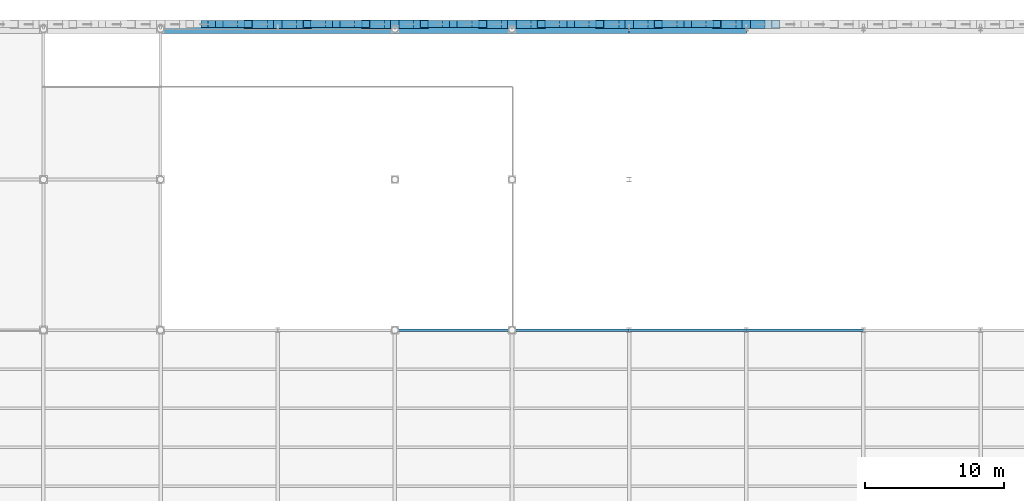
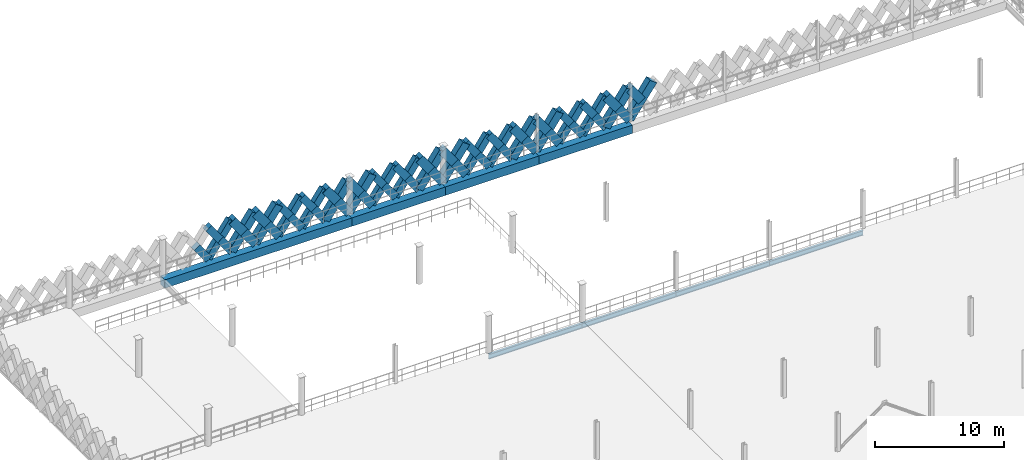
# One storey, part 24 of 47: 57 members, 8 beams.
"""IFC4 building model written with IfcOpenShell, lengths in metres."""

from ifc_helpers import new_model, si_unit, direction, frame, origin, origin_2d, place, context, subcontext, project, spatial, rectangle, i_section, extrude, material, material_profile, profile_set, type_object, element, save


model = new_model("IFC4")

# Units and contexts
model_context = context("Model", 3, precision=1e-05, world=origin(), true_north=direction((0.0, 1.0)))
body_context = subcontext(model_context, "Body", "Model", "MODEL_VIEW")
ifc_project = project(units=[si_unit("LENGTHUNIT", "METRE"), si_unit("AREAUNIT", "SQUARE_METRE"), si_unit("VOLUMEUNIT", "CUBIC_METRE"), si_unit("PLANEANGLEUNIT", "RADIAN"), si_unit("MASSUNIT", "GRAM", prefix="KILO"), si_unit("THERMODYNAMICTEMPERATUREUNIT", "KELVIN"), si_unit("POWERUNIT", "WATT")], contexts=[model_context])

# Site, building, storey
site_placement = place(None, origin())
site = spatial("IfcSite", under=ifc_project, at=site_placement, CompositionType="ELEMENT")
building_placement = place(site_placement, origin())
building = spatial("IfcBuilding", under=site, at=building_placement, Name="Tembeka Court Mobility Hub", CompositionType="ELEMENT")
storey_placement = place(building_placement, frame((0.0, 0.0, 19.800048828125)))
storey = spatial("IfcBuildingStorey", under=building, at=storey_placement, Name="L05", CompositionType="ELEMENT", Elevation=19.800048828125)

# Beams
ifc_material_1 = material(Name="Steel S355", Category="steel")
ifc_material_profile_1 = material_profile(ifc_material_1, i_section(OverallWidth=0.18994140625, OverallDepth=0.45703125, WebThickness=0.009033203125, FlangeThickness=0.014404296875, FilletRadius=0.01025390625, at=origin_2d()), Name="UKB 457x191x74")
ifc_profile_set_1 = profile_set([ifc_material_profile_1], Name="Steel S355")
beam_type_1 = type_object("IfcBeamType", Name="BM-B01", PredefinedType="BEAM", material=ifc_profile_set_1)
for number, where, z_axis, x_axis, name in (
    (1, (33.60009765625, 97.199951171875, -0.448486328125), (1.0, 0.0, 0.0), (0.0, 1.0, 0.0), "Beam B01 (BM-L05-X2757)"),
    (2, (42.0, 97.199951171875, -0.448486328125), (1.0, 0.0, 0.0), (0.0, 1.0, 0.0), "Beam B01 (BM-L05-X2758)"),
):
    element("IfcBeam", number, at=place(storey_placement, frame(where, z_axis=z_axis, x_axis=x_axis)), inside=storey, type_object=beam_type_1, Name=name, PredefinedType="BEAM", context=body_context, shape_type="SweptSolid", body=[
        extrude(i_section(OverallWidth=0.18994140625, OverallDepth=0.45703125, WebThickness=0.009033203125, FlangeThickness=0.014404296875, FilletRadius=0.01025390625, at=origin_2d()), origin(), (0.0, 0.0, 1.0), 8.39990234375),
    ])
beam_1_placement = place(storey_placement, frame((50.39990234375, 97.199951171875, -0.448486328125), z_axis=(1.0, 0.0, 0.0), x_axis=(0.0, 1.0, 0.0)))
element("IfcBeam", 3, at=beam_1_placement, inside=storey, type_object=beam_type_1, Name="Beam B01 (BM-L05-X2759)", PredefinedType="BEAM", context=body_context, shape_type="SweptSolid", body=[
    extrude(i_section(OverallWidth=0.18994140625, OverallDepth=0.45703125, WebThickness=0.009033203125, FlangeThickness=0.014404296875, FilletRadius=0.01025390625, at=origin_2d()), origin(), (0.0, 0.0, 1.0), 8.400146484375),
])
beam_2_placement = place(storey_placement, frame((58.800048828125, 97.199951171875, -0.448486328125), z_axis=(1.0, 0.0, 0.0), x_axis=(0.0, 1.0, 0.0)))
element("IfcBeam", 4, at=beam_2_placement, inside=storey, type_object=beam_type_1, Name="Beam B01 (BM-L05-X2760)", PredefinedType="BEAM", context=body_context, shape_type="SweptSolid", body=[
    extrude(i_section(OverallWidth=0.18994140625, OverallDepth=0.45703125, WebThickness=0.009033203125, FlangeThickness=0.014404296875, FilletRadius=0.01025390625, at=origin_2d()), origin(), (0.0, 0.0, 1.0), 8.39990234375),
])
ifc_material_2 = material(Name="Precast concrete C45/55", Category="concrete")
ifc_material_profile_2 = material_profile(ifc_material_2, rectangle(XDim=0.64990234375, YDim=0.800048828125, at=origin_2d()), Name="PC-SP 650x800")
ifc_profile_set_2 = profile_set([ifc_material_profile_2], Name="Precast concrete C45/55")
beam_type_2 = type_object("IfcBeamType", Name="BM-SP01", PredefinedType="SPANDREL", material=ifc_profile_set_2)
beam_3_placement = place(storey_placement, frame((16.800048828125, 118.800048828125, -0.6201171875), z_axis=(1.0, 0.0, 0.0), x_axis=(0.0, 1.0, 0.0)))
element("IfcBeam", 5, at=beam_3_placement, inside=storey, type_object=beam_type_2, Name="Beam SP01 (BM-L05-X2768)", PredefinedType="SPANDREL", context=body_context, shape_type="SweptSolid", body=[
    extrude(rectangle(XDim=0.64990234375, YDim=0.800048828125, at=origin_2d()), origin(), (0.0, 0.0, 1.0), 16.800048828125),
])
for number, where, z_axis, x_axis, name in (
    (6, (33.60009765625, 118.800048828125, -0.6201171875), (1.0, 0.0, 0.0), (0.0, 1.0, 0.0), "Beam SP01 (BM-L05-X2769)"),
    (7, (42.0, 118.800048828125, -0.6201171875), (1.0, 0.0, 0.0), (0.0, 1.0, 0.0), "Beam SP01 (BM-L05-X2770)"),
):
    element("IfcBeam", number, at=place(storey_placement, frame(where, z_axis=z_axis, x_axis=x_axis)), inside=storey, type_object=beam_type_2, Name=name, PredefinedType="SPANDREL", context=body_context, shape_type="SweptSolid", body=[
        extrude(rectangle(XDim=0.64990234375, YDim=0.800048828125, at=origin_2d()), origin(), (0.0, 0.0, 1.0), 8.39990234375),
    ])
beam_4_placement = place(storey_placement, frame((50.39990234375, 118.800048828125, -0.6201171875), z_axis=(1.0, 0.0, 0.0), x_axis=(0.0, 1.0, 0.0)))
element("IfcBeam", 8, at=beam_4_placement, inside=storey, type_object=beam_type_2, Name="Beam SP01 (BM-L05-X2771)", PredefinedType="SPANDREL", context=body_context, shape_type="SweptSolid", body=[
    extrude(rectangle(XDim=0.64990234375, YDim=0.800048828125, at=origin_2d()), origin(), (0.0, 0.0, 1.0), 8.400146484375),
])

# Members
ifc_material_profile_3 = material_profile(ifc_material_2, rectangle(XDim=0.5, YDim=0.64990234375, at=origin_2d()), Name="PC-DIAG 500x650")
ifc_profile_set_3 = profile_set([ifc_material_profile_3], Name="Precast concrete C45/55")
member_type_1 = type_object("IfcMemberType", Name="MEM-DL01", PredefinedType="BRACE", material=ifc_profile_set_3)
member_1_placement = place(storey_placement, frame((21.0, 119.139892578125, 0.02001953125), z_axis=(-0.582608431711, 0.0, 0.812752985414), x_axis=(0.0, -1.0, 0.0)))
element("IfcMember", 9, at=member_1_placement, inside=storey, type_object=member_type_1, Name="Precast diamond lattice split lower strand DL01 (L05-842B1)", PredefinedType="BRACE", context=body_context, shape_type="SweptSolid", body=[
    extrude(rectangle(XDim=0.5, YDim=0.64990234375, at=origin_2d()), origin(), (0.0, 0.0, 1.0), 1.80224609375),
])
member_2_placement = place(storey_placement, frame((21.0, 119.139892578125, 0.02001953125), z_axis=(0.582576362011, 0.0, 0.812775973086), x_axis=(0.0, 1.0, 0.0)))
element("IfcMember", 10, at=member_2_placement, inside=storey, type_object=member_type_1, Name="Precast diamond lattice continuous strand DL01 (L05-843A)", PredefinedType="BRACE", context=body_context, shape_type="SweptSolid", body=[
    extrude(rectangle(XDim=0.5, YDim=0.64990234375, at=origin_2d()), origin(), (0.0, 0.0, 1.0), 3.604736328125),
])
member_3_placement = place(storey_placement, frame((23.10009765625, 119.139892578125, 0.02001953125), z_axis=(-0.582608431711, 0.0, 0.812752985414), x_axis=(0.0, -1.0, 0.0)))
element("IfcMember", 11, at=member_3_placement, inside=storey, type_object=member_type_1, Name="Precast diamond lattice split lower strand DL01 (L05-843B1)", PredefinedType="BRACE", context=body_context, shape_type="SweptSolid", body=[
    extrude(rectangle(XDim=0.5, YDim=0.64990234375, at=origin_2d()), origin(), (0.0, 0.0, 1.0), 1.80224609375),
])
member_4_placement = place(storey_placement, frame((22.050048828125, 119.139892578125, 1.48486328125), z_axis=(-0.582544294934, 0.0, 0.812798956963), x_axis=(0.0, -1.0, 0.0)))
element("IfcMember", 12, at=member_4_placement, inside=storey, type_object=member_type_1, Name="Precast diamond lattice split upper strand DL01 (L05-843B2)", PredefinedType="BRACE", context=body_context, shape_type="SweptSolid", body=[
    extrude(rectangle(XDim=0.5, YDim=0.64990234375, at=origin_2d()), origin(), (0.0, 0.0, 1.0), 1.802490234375),
])
member_5_placement = place(storey_placement, frame((27.300048828125, 119.139892578125, 0.02001953125), z_axis=(0.58253161945, 0.0, 0.812808041509), x_axis=(0.0, 1.0, 0.0)))
element("IfcMember", 13, at=member_5_placement, inside=storey, type_object=member_type_1, Name="Precast diamond lattice continuous strand DL01 (L05-846A)", PredefinedType="BRACE", context=body_context, shape_type="SweptSolid", body=[
    extrude(rectangle(XDim=0.5, YDim=0.64990234375, at=origin_2d()), origin(), (0.0, 0.0, 1.0), 3.604736328125),
])
member_6_placement = place(storey_placement, frame((29.39990234375, 119.139892578125, 0.02001953125), z_axis=(-0.582518941428, 0.0, 0.812817127574), x_axis=(0.0, -1.0, 0.0)))
element("IfcMember", 14, at=member_6_placement, inside=storey, type_object=member_type_1, Name="Precast diamond lattice split lower strand DL01 (L05-846B1)", PredefinedType="BRACE", context=body_context, shape_type="SweptSolid", body=[
    extrude(rectangle(XDim=0.5, YDim=0.64990234375, at=origin_2d()), origin(), (0.0, 0.0, 1.0), 1.80224609375),
])
member_7_placement = place(storey_placement, frame((28.35009765625, 119.139892578125, 1.48486328125), z_axis=(-0.582544294934, 0.0, 0.812798956963), x_axis=(0.0, -1.0, 0.0)))
element("IfcMember", 15, at=member_7_placement, inside=storey, type_object=member_type_1, Name="Precast diamond lattice split upper strand DL01 (L05-846B2)", PredefinedType="BRACE", context=body_context, shape_type="SweptSolid", body=[
    extrude(rectangle(XDim=0.5, YDim=0.64990234375, at=origin_2d()), origin(), (0.0, 0.0, 1.0), 1.802490234375),
])
member_8_placement = place(storey_placement, frame((29.39990234375, 119.139892578125, 0.02001953125), z_axis=(0.582576362011, 0.0, 0.812775973086), x_axis=(0.0, 1.0, 0.0)))
element("IfcMember", 16, at=member_8_placement, inside=storey, type_object=member_type_1, Name="Precast diamond lattice continuous strand DL01 (L05-847A)", PredefinedType="BRACE", context=body_context, shape_type="SweptSolid", body=[
    extrude(rectangle(XDim=0.5, YDim=0.64990234375, at=origin_2d()), origin(), (0.0, 0.0, 1.0), 3.604736328125),
])
member_9_placement = place(storey_placement, frame((31.5, 119.139892578125, 0.02001953125), z_axis=(-0.582608431711, 0.0, 0.812752985414), x_axis=(0.0, -1.0, 0.0)))
element("IfcMember", 17, at=member_9_placement, inside=storey, type_object=member_type_1, Name="Precast diamond lattice split lower strand DL01 (L05-847B1)", PredefinedType="BRACE", context=body_context, shape_type="SweptSolid", body=[
    extrude(rectangle(XDim=0.5, YDim=0.64990234375, at=origin_2d()), origin(), (0.0, 0.0, 1.0), 1.80224609375),
])
member_10_placement = place(storey_placement, frame((30.449951171875, 119.139892578125, 1.48486328125), z_axis=(-0.582544294934, 0.0, 0.812798956963), x_axis=(0.0, -1.0, 0.0)))
element("IfcMember", 18, at=member_10_placement, inside=storey, type_object=member_type_1, Name="Precast diamond lattice split upper strand DL01 (L05-847B2)", PredefinedType="BRACE", context=body_context, shape_type="SweptSolid", body=[
    extrude(rectangle(XDim=0.5, YDim=0.64990234375, at=origin_2d()), origin(), (0.0, 0.0, 1.0), 1.802490234375),
])
member_11_placement = place(storey_placement, frame((35.699951171875, 119.139892578125, 0.02001953125), z_axis=(0.582576362011, 0.0, 0.812775973086), x_axis=(0.0, 1.0, 0.0)))
element("IfcMember", 19, at=member_11_placement, inside=storey, type_object=member_type_1, Name="Precast diamond lattice continuous strand DL01 (L05-850A)", PredefinedType="BRACE", context=body_context, shape_type="SweptSolid", body=[
    extrude(rectangle(XDim=0.5, YDim=0.64990234375, at=origin_2d()), origin(), (0.0, 0.0, 1.0), 3.604736328125),
])
member_12_placement = place(storey_placement, frame((37.800048828125, 119.139892578125, 0.02001953125), z_axis=(-0.582608431711, 0.0, 0.812752985414), x_axis=(0.0, -1.0, 0.0)))
element("IfcMember", 20, at=member_12_placement, inside=storey, type_object=member_type_1, Name="Precast diamond lattice split lower strand DL01 (L05-850B1)", PredefinedType="BRACE", context=body_context, shape_type="SweptSolid", body=[
    extrude(rectangle(XDim=0.5, YDim=0.64990234375, at=origin_2d()), origin(), (0.0, 0.0, 1.0), 1.80224609375),
])
member_13_placement = place(storey_placement, frame((36.75, 119.139892578125, 1.48486328125), z_axis=(-0.582544294934, 0.0, 0.812798956963), x_axis=(0.0, -1.0, 0.0)))
element("IfcMember", 21, at=member_13_placement, inside=storey, type_object=member_type_1, Name="Precast diamond lattice split upper strand DL01 (L05-850B2)", PredefinedType="BRACE", context=body_context, shape_type="SweptSolid", body=[
    extrude(rectangle(XDim=0.5, YDim=0.64990234375, at=origin_2d()), origin(), (0.0, 0.0, 1.0), 1.802490234375),
])
member_14_placement = place(storey_placement, frame((37.800048828125, 119.139892578125, 0.02001953125), z_axis=(0.58253161945, 0.0, 0.812808041509), x_axis=(0.0, 1.0, 0.0)))
element("IfcMember", 22, at=member_14_placement, inside=storey, type_object=member_type_1, Name="Precast diamond lattice continuous strand DL01 (L05-851A)", PredefinedType="BRACE", context=body_context, shape_type="SweptSolid", body=[
    extrude(rectangle(XDim=0.5, YDim=0.64990234375, at=origin_2d()), origin(), (0.0, 0.0, 1.0), 3.604736328125),
])
member_15_placement = place(storey_placement, frame((39.89990234375, 119.139892578125, 0.02001953125), z_axis=(-0.582518941428, 0.0, 0.812817127574), x_axis=(0.0, -1.0, 0.0)))
element("IfcMember", 23, at=member_15_placement, inside=storey, type_object=member_type_1, Name="Precast diamond lattice split lower strand DL01 (L05-851B1)", PredefinedType="BRACE", context=body_context, shape_type="SweptSolid", body=[
    extrude(rectangle(XDim=0.5, YDim=0.64990234375, at=origin_2d()), origin(), (0.0, 0.0, 1.0), 1.80224609375),
])
member_16_placement = place(storey_placement, frame((38.85009765625, 119.139892578125, 1.48486328125), z_axis=(-0.582544294934, 0.0, 0.812798956963), x_axis=(0.0, -1.0, 0.0)))
element("IfcMember", 24, at=member_16_placement, inside=storey, type_object=member_type_1, Name="Precast diamond lattice split upper strand DL01 (L05-851B2)", PredefinedType="BRACE", context=body_context, shape_type="SweptSolid", body=[
    extrude(rectangle(XDim=0.5, YDim=0.64990234375, at=origin_2d()), origin(), (0.0, 0.0, 1.0), 1.802490234375),
])
member_17_placement = place(storey_placement, frame((44.10009765625, 119.139892578125, 0.02001953125), z_axis=(0.58253161945, 0.0, 0.812808041509), x_axis=(0.0, 1.0, 0.0)))
element("IfcMember", 25, at=member_17_placement, inside=storey, type_object=member_type_1, Name="Precast diamond lattice continuous strand DL01 (L05-854A)", PredefinedType="BRACE", context=body_context, shape_type="SweptSolid", body=[
    extrude(rectangle(XDim=0.5, YDim=0.64990234375, at=origin_2d()), origin(), (0.0, 0.0, 1.0), 3.604736328125),
])
member_18_placement = place(storey_placement, frame((46.199951171875, 119.139892578125, 0.02001953125), z_axis=(-0.582608431711, 0.0, 0.812752985414), x_axis=(0.0, -1.0, 0.0)))
element("IfcMember", 26, at=member_18_placement, inside=storey, type_object=member_type_1, Name="Precast diamond lattice split lower strand DL01 (L05-854B1)", PredefinedType="BRACE", context=body_context, shape_type="SweptSolid", body=[
    extrude(rectangle(XDim=0.5, YDim=0.64990234375, at=origin_2d()), origin(), (0.0, 0.0, 1.0), 1.80224609375),
])
member_19_placement = place(storey_placement, frame((45.14990234375, 119.139892578125, 1.48486328125), z_axis=(-0.582454804382, 0.0, 0.812863088627), x_axis=(0.0, -1.0, 0.0)))
element("IfcMember", 27, at=member_19_placement, inside=storey, type_object=member_type_1, Name="Precast diamond lattice split upper strand DL01 (L05-854B2)", PredefinedType="BRACE", context=body_context, shape_type="SweptSolid", body=[
    extrude(rectangle(XDim=0.5, YDim=0.64990234375, at=origin_2d()), origin(), (0.0, 0.0, 1.0), 1.802490234375),
])
member_20_placement = place(storey_placement, frame((46.199951171875, 119.139892578125, 0.02001953125), z_axis=(0.582576362011, 0.0, 0.812775973086), x_axis=(0.0, 1.0, 0.0)))
element("IfcMember", 28, at=member_20_placement, inside=storey, type_object=member_type_1, Name="Precast diamond lattice continuous strand DL01 (L05-855A)", PredefinedType="BRACE", context=body_context, shape_type="SweptSolid", body=[
    extrude(rectangle(XDim=0.5, YDim=0.64990234375, at=origin_2d()), origin(), (0.0, 0.0, 1.0), 3.604736328125),
])
member_21_placement = place(storey_placement, frame((48.300048828125, 119.139892578125, 0.02001953125), z_axis=(-0.582608431711, 0.0, 0.812752985414), x_axis=(0.0, -1.0, 0.0)))
element("IfcMember", 29, at=member_21_placement, inside=storey, type_object=member_type_1, Name="Precast diamond lattice split lower strand DL01 (L05-855B1)", PredefinedType="BRACE", context=body_context, shape_type="SweptSolid", body=[
    extrude(rectangle(XDim=0.5, YDim=0.64990234375, at=origin_2d()), origin(), (0.0, 0.0, 1.0), 1.80224609375),
])
member_22_placement = place(storey_placement, frame((47.25, 119.139892578125, 1.48486328125), z_axis=(-0.582544294934, 0.0, 0.812798956963), x_axis=(0.0, -1.0, 0.0)))
element("IfcMember", 30, at=member_22_placement, inside=storey, type_object=member_type_1, Name="Precast diamond lattice split upper strand DL01 (L05-855B2)", PredefinedType="BRACE", context=body_context, shape_type="SweptSolid", body=[
    extrude(rectangle(XDim=0.5, YDim=0.64990234375, at=origin_2d()), origin(), (0.0, 0.0, 1.0), 1.802490234375),
])
member_23_placement = place(storey_placement, frame((52.5, 119.139892578125, 0.02001953125), z_axis=(0.582576362011, 0.0, 0.812775973086), x_axis=(0.0, 1.0, 0.0)))
element("IfcMember", 31, at=member_23_placement, inside=storey, type_object=member_type_1, Name="Precast diamond lattice continuous strand DL01 (L05-858A)", PredefinedType="BRACE", context=body_context, shape_type="SweptSolid", body=[
    extrude(rectangle(XDim=0.5, YDim=0.64990234375, at=origin_2d()), origin(), (0.0, 0.0, 1.0), 3.604736328125),
])
member_24_placement = place(storey_placement, frame((54.60009765625, 119.139892578125, 0.02001953125), z_axis=(-0.582608431711, 0.0, 0.812752985414), x_axis=(0.0, -1.0, 0.0)))
element("IfcMember", 32, at=member_24_placement, inside=storey, type_object=member_type_1, Name="Precast diamond lattice split lower strand DL01 (L05-858B1)", PredefinedType="BRACE", context=body_context, shape_type="SweptSolid", body=[
    extrude(rectangle(XDim=0.5, YDim=0.64990234375, at=origin_2d()), origin(), (0.0, 0.0, 1.0), 1.80224609375),
])
member_25_placement = place(storey_placement, frame((53.550048828125, 119.139892578125, 1.48486328125), z_axis=(-0.582544294934, 0.0, 0.812798956963), x_axis=(0.0, -1.0, 0.0)))
element("IfcMember", 33, at=member_25_placement, inside=storey, type_object=member_type_1, Name="Precast diamond lattice split upper strand DL01 (L05-858B2)", PredefinedType="BRACE", context=body_context, shape_type="SweptSolid", body=[
    extrude(rectangle(XDim=0.5, YDim=0.64990234375, at=origin_2d()), origin(), (0.0, 0.0, 1.0), 1.802490234375),
])
member_26_placement = place(storey_placement, frame((54.60009765625, 119.139892578125, 0.02001953125), z_axis=(0.58253161945, 0.0, 0.812808041509), x_axis=(0.0, 1.0, 0.0)))
element("IfcMember", 34, at=member_26_placement, inside=storey, type_object=member_type_1, Name="Precast diamond lattice continuous strand DL01 (L05-859A)", PredefinedType="BRACE", context=body_context, shape_type="SweptSolid", body=[
    extrude(rectangle(XDim=0.5, YDim=0.64990234375, at=origin_2d()), origin(), (0.0, 0.0, 1.0), 3.604736328125),
])
member_27_placement = place(storey_placement, frame((56.699951171875, 119.139892578125, 0.02001953125), z_axis=(-0.582608431711, 0.0, 0.812752985414), x_axis=(0.0, -1.0, 0.0)))
element("IfcMember", 35, at=member_27_placement, inside=storey, type_object=member_type_1, Name="Precast diamond lattice split lower strand DL01 (L05-859B1)", PredefinedType="BRACE", context=body_context, shape_type="SweptSolid", body=[
    extrude(rectangle(XDim=0.5, YDim=0.64990234375, at=origin_2d()), origin(), (0.0, 0.0, 1.0), 1.80224609375),
])
member_28_placement = place(storey_placement, frame((55.64990234375, 119.139892578125, 1.48486328125), z_axis=(-0.582454804382, 0.0, 0.812863088627), x_axis=(0.0, -1.0, 0.0)))
element("IfcMember", 36, at=member_28_placement, inside=storey, type_object=member_type_1, Name="Precast diamond lattice split upper strand DL01 (L05-859B2)", PredefinedType="BRACE", context=body_context, shape_type="SweptSolid", body=[
    extrude(rectangle(XDim=0.5, YDim=0.64990234375, at=origin_2d()), origin(), (0.0, 0.0, 1.0), 1.802490234375),
])
ifc_material_profile_4 = material_profile(ifc_material_2, rectangle(XDim=0.60009765625, YDim=0.75, at=origin_2d()), Name="PC-DIAG 600x750")
ifc_profile_set_4 = profile_set([ifc_material_profile_4], Name="Precast concrete C45/55")
member_type_2 = type_object("IfcMemberType", Name="MEM-DL02", PredefinedType="BRACE", material=ifc_profile_set_4)
member_29_placement = place(storey_placement, frame((23.10009765625, 119.139892578125, 0.02001953125), z_axis=(0.58253161945, 0.0, 0.812808041509), x_axis=(0.0, 1.0, 0.0)))
element("IfcMember", 37, at=member_29_placement, inside=storey, type_object=member_type_2, Name="Precast diamond lattice continuous strand DL02 (L05-844A)", PredefinedType="BRACE", context=body_context, shape_type="SweptSolid", body=[
    extrude(rectangle(XDim=0.60009765625, YDim=0.75, at=origin_2d()), origin(), (0.0, 0.0, 1.0), 3.604736328125),
])
member_30_placement = place(storey_placement, frame((25.199951171875, 119.139892578125, 0.02001953125), z_axis=(-0.582608431711, 0.0, 0.812752985414), x_axis=(0.0, -1.0, 0.0)))
element("IfcMember", 38, at=member_30_placement, inside=storey, type_object=member_type_2, Name="Precast diamond lattice split lower strand DL02 (L05-844B1)", PredefinedType="BRACE", context=body_context, shape_type="SweptSolid", body=[
    extrude(rectangle(XDim=0.60009765625, YDim=0.75, at=origin_2d()), origin(), (0.0, 0.0, 1.0), 1.80224609375),
])
member_31_placement = place(storey_placement, frame((24.14990234375, 119.139892578125, 1.48486328125), z_axis=(-0.582454804382, 0.0, 0.812863088627), x_axis=(0.0, -1.0, 0.0)))
element("IfcMember", 39, at=member_31_placement, inside=storey, type_object=member_type_2, Name="Precast diamond lattice split upper strand DL02 (L05-844B2)", PredefinedType="BRACE", context=body_context, shape_type="SweptSolid", body=[
    extrude(rectangle(XDim=0.60009765625, YDim=0.75, at=origin_2d()), origin(), (0.0, 0.0, 1.0), 1.802490234375),
])
member_32_placement = place(storey_placement, frame((25.199951171875, 119.139892578125, 0.02001953125), z_axis=(0.582576362011, 0.0, 0.812775973086), x_axis=(0.0, 1.0, 0.0)))
element("IfcMember", 40, at=member_32_placement, inside=storey, type_object=member_type_2, Name="Precast diamond lattice continuous strand DL02 (L05-845A)", PredefinedType="BRACE", context=body_context, shape_type="SweptSolid", body=[
    extrude(rectangle(XDim=0.60009765625, YDim=0.75, at=origin_2d()), origin(), (0.0, 0.0, 1.0), 3.604736328125),
])
member_33_placement = place(storey_placement, frame((27.300048828125, 119.139892578125, 0.02001953125), z_axis=(-0.582608431711, 0.0, 0.812752985414), x_axis=(0.0, -1.0, 0.0)))
element("IfcMember", 41, at=member_33_placement, inside=storey, type_object=member_type_2, Name="Precast diamond lattice split lower strand DL02 (L05-845B1)", PredefinedType="BRACE", context=body_context, shape_type="SweptSolid", body=[
    extrude(rectangle(XDim=0.60009765625, YDim=0.75, at=origin_2d()), origin(), (0.0, 0.0, 1.0), 1.80224609375),
])
member_34_placement = place(storey_placement, frame((26.25, 119.139892578125, 1.48486328125), z_axis=(-0.582544294934, 0.0, 0.812798956963), x_axis=(0.0, -1.0, 0.0)))
element("IfcMember", 42, at=member_34_placement, inside=storey, type_object=member_type_2, Name="Precast diamond lattice split upper strand DL02 (L05-845B2)", PredefinedType="BRACE", context=body_context, shape_type="SweptSolid", body=[
    extrude(rectangle(XDim=0.60009765625, YDim=0.75, at=origin_2d()), origin(), (0.0, 0.0, 1.0), 1.802490234375),
])
member_35_placement = place(storey_placement, frame((31.5, 119.139892578125, 0.02001953125), z_axis=(0.582576362011, 0.0, 0.812775973086), x_axis=(0.0, 1.0, 0.0)))
element("IfcMember", 43, at=member_35_placement, inside=storey, type_object=member_type_2, Name="Precast diamond lattice continuous strand DL02 (L05-848A)", PredefinedType="BRACE", context=body_context, shape_type="SweptSolid", body=[
    extrude(rectangle(XDim=0.60009765625, YDim=0.75, at=origin_2d()), origin(), (0.0, 0.0, 1.0), 3.604736328125),
])
member_36_placement = place(storey_placement, frame((33.60009765625, 119.139892578125, 0.02001953125), z_axis=(-0.582608431711, 0.0, 0.812752985414), x_axis=(0.0, -1.0, 0.0)))
element("IfcMember", 44, at=member_36_placement, inside=storey, type_object=member_type_2, Name="Precast diamond lattice split lower strand DL02 (L05-848B1)", PredefinedType="BRACE", context=body_context, shape_type="SweptSolid", body=[
    extrude(rectangle(XDim=0.60009765625, YDim=0.75, at=origin_2d()), origin(), (0.0, 0.0, 1.0), 1.80224609375),
])
member_37_placement = place(storey_placement, frame((32.550048828125, 119.139892578125, 1.48486328125), z_axis=(-0.582544294934, 0.0, 0.812798956963), x_axis=(0.0, -1.0, 0.0)))
element("IfcMember", 45, at=member_37_placement, inside=storey, type_object=member_type_2, Name="Precast diamond lattice split upper strand DL02 (L05-848B2)", PredefinedType="BRACE", context=body_context, shape_type="SweptSolid", body=[
    extrude(rectangle(XDim=0.60009765625, YDim=0.75, at=origin_2d()), origin(), (0.0, 0.0, 1.0), 1.802490234375),
])
member_38_placement = place(storey_placement, frame((33.60009765625, 119.139892578125, 0.02001953125), z_axis=(0.58253161945, 0.0, 0.812808041509), x_axis=(0.0, 1.0, 0.0)))
element("IfcMember", 46, at=member_38_placement, inside=storey, type_object=member_type_2, Name="Precast diamond lattice continuous strand DL02 (L05-849A)", PredefinedType="BRACE", context=body_context, shape_type="SweptSolid", body=[
    extrude(rectangle(XDim=0.60009765625, YDim=0.75, at=origin_2d()), origin(), (0.0, 0.0, 1.0), 3.604736328125),
])
member_39_placement = place(storey_placement, frame((35.699951171875, 119.139892578125, 0.02001953125), z_axis=(-0.582608431711, 0.0, 0.812752985414), x_axis=(0.0, -1.0, 0.0)))
element("IfcMember", 47, at=member_39_placement, inside=storey, type_object=member_type_2, Name="Precast diamond lattice split lower strand DL02 (L05-849B1)", PredefinedType="BRACE", context=body_context, shape_type="SweptSolid", body=[
    extrude(rectangle(XDim=0.60009765625, YDim=0.75, at=origin_2d()), origin(), (0.0, 0.0, 1.0), 1.80224609375),
])
member_40_placement = place(storey_placement, frame((34.64990234375, 119.139892578125, 1.48486328125), z_axis=(-0.582454804382, 0.0, 0.812863088627), x_axis=(0.0, -1.0, 0.0)))
element("IfcMember", 48, at=member_40_placement, inside=storey, type_object=member_type_2, Name="Precast diamond lattice split upper strand DL02 (L05-849B2)", PredefinedType="BRACE", context=body_context, shape_type="SweptSolid", body=[
    extrude(rectangle(XDim=0.60009765625, YDim=0.75, at=origin_2d()), origin(), (0.0, 0.0, 1.0), 1.802490234375),
])
member_41_placement = place(storey_placement, frame((39.89990234375, 119.139892578125, 0.02001953125), z_axis=(0.582576362011, 0.0, 0.812775973086), x_axis=(0.0, 1.0, 0.0)))
element("IfcMember", 49, at=member_41_placement, inside=storey, type_object=member_type_2, Name="Precast diamond lattice continuous strand DL02 (L05-852A)", PredefinedType="BRACE", context=body_context, shape_type="SweptSolid", body=[
    extrude(rectangle(XDim=0.60009765625, YDim=0.75, at=origin_2d()), origin(), (0.0, 0.0, 1.0), 3.604736328125),
])
member_42_placement = place(storey_placement, frame((42.0, 119.139892578125, 0.02001953125), z_axis=(-0.582608431711, 0.0, 0.812752985414), x_axis=(0.0, -1.0, 0.0)))
element("IfcMember", 50, at=member_42_placement, inside=storey, type_object=member_type_2, Name="Precast diamond lattice split lower strand DL02 (L05-852B1)", PredefinedType="BRACE", context=body_context, shape_type="SweptSolid", body=[
    extrude(rectangle(XDim=0.60009765625, YDim=0.75, at=origin_2d()), origin(), (0.0, 0.0, 1.0), 1.80224609375),
])
member_43_placement = place(storey_placement, frame((40.949951171875, 119.139892578125, 1.48486328125), z_axis=(-0.582544294934, 0.0, 0.812798956963), x_axis=(0.0, -1.0, 0.0)))
element("IfcMember", 51, at=member_43_placement, inside=storey, type_object=member_type_2, Name="Precast diamond lattice split upper strand DL02 (L05-852B2)", PredefinedType="BRACE", context=body_context, shape_type="SweptSolid", body=[
    extrude(rectangle(XDim=0.60009765625, YDim=0.75, at=origin_2d()), origin(), (0.0, 0.0, 1.0), 1.802490234375),
])
member_44_placement = place(storey_placement, frame((42.0, 119.139892578125, 0.02001953125), z_axis=(0.582576362011, 0.0, 0.812775973086), x_axis=(0.0, 1.0, 0.0)))
element("IfcMember", 52, at=member_44_placement, inside=storey, type_object=member_type_2, Name="Precast diamond lattice continuous strand DL02 (L05-853A)", PredefinedType="BRACE", context=body_context, shape_type="SweptSolid", body=[
    extrude(rectangle(XDim=0.60009765625, YDim=0.75, at=origin_2d()), origin(), (0.0, 0.0, 1.0), 3.604736328125),
])
member_45_placement = place(storey_placement, frame((44.10009765625, 119.139892578125, 0.02001953125), z_axis=(-0.582608431711, 0.0, 0.812752985414), x_axis=(0.0, -1.0, 0.0)))
element("IfcMember", 53, at=member_45_placement, inside=storey, type_object=member_type_2, Name="Precast diamond lattice split lower strand DL02 (L05-853B1)", PredefinedType="BRACE", context=body_context, shape_type="SweptSolid", body=[
    extrude(rectangle(XDim=0.60009765625, YDim=0.75, at=origin_2d()), origin(), (0.0, 0.0, 1.0), 1.80224609375),
])
member_46_placement = place(storey_placement, frame((43.050048828125, 119.139892578125, 1.48486328125), z_axis=(-0.582544294934, 0.0, 0.812798956963), x_axis=(0.0, -1.0, 0.0)))
element("IfcMember", 54, at=member_46_placement, inside=storey, type_object=member_type_2, Name="Precast diamond lattice split upper strand DL02 (L05-853B2)", PredefinedType="BRACE", context=body_context, shape_type="SweptSolid", body=[
    extrude(rectangle(XDim=0.60009765625, YDim=0.75, at=origin_2d()), origin(), (0.0, 0.0, 1.0), 1.802490234375),
])
member_47_placement = place(storey_placement, frame((48.300048828125, 119.139892578125, 0.02001953125), z_axis=(0.58253161945, 0.0, 0.812808041509), x_axis=(0.0, 1.0, 0.0)))
element("IfcMember", 55, at=member_47_placement, inside=storey, type_object=member_type_2, Name="Precast diamond lattice continuous strand DL02 (L05-856A)", PredefinedType="BRACE", context=body_context, shape_type="SweptSolid", body=[
    extrude(rectangle(XDim=0.60009765625, YDim=0.75, at=origin_2d()), origin(), (0.0, 0.0, 1.0), 3.604736328125),
])
member_48_placement = place(storey_placement, frame((50.39990234375, 119.139892578125, 0.02001953125), z_axis=(-0.582518941428, 0.0, 0.812817127574), x_axis=(0.0, -1.0, 0.0)))
element("IfcMember", 56, at=member_48_placement, inside=storey, type_object=member_type_2, Name="Precast diamond lattice split lower strand DL02 (L05-856B1)", PredefinedType="BRACE", context=body_context, shape_type="SweptSolid", body=[
    extrude(rectangle(XDim=0.60009765625, YDim=0.75, at=origin_2d()), origin(), (0.0, 0.0, 1.0), 1.80224609375),
])
member_49_placement = place(storey_placement, frame((49.35009765625, 119.139892578125, 1.48486328125), z_axis=(-0.582544294934, 0.0, 0.812798956963), x_axis=(0.0, -1.0, 0.0)))
element("IfcMember", 57, at=member_49_placement, inside=storey, type_object=member_type_2, Name="Precast diamond lattice split upper strand DL02 (L05-856B2)", PredefinedType="BRACE", context=body_context, shape_type="SweptSolid", body=[
    extrude(rectangle(XDim=0.60009765625, YDim=0.75, at=origin_2d()), origin(), (0.0, 0.0, 1.0), 1.802490234375),
])
member_50_placement = place(storey_placement, frame((50.39990234375, 119.139892578125, 0.02001953125), z_axis=(0.582576362011, 0.0, 0.812775973086), x_axis=(0.0, 1.0, 0.0)))
element("IfcMember", 58, at=member_50_placement, inside=storey, type_object=member_type_2, Name="Precast diamond lattice continuous strand DL02 (L05-857A)", PredefinedType="BRACE", context=body_context, shape_type="SweptSolid", body=[
    extrude(rectangle(XDim=0.60009765625, YDim=0.75, at=origin_2d()), origin(), (0.0, 0.0, 1.0), 3.604736328125),
])
member_51_placement = place(storey_placement, frame((52.5, 119.139892578125, 0.02001953125), z_axis=(-0.582608431711, 0.0, 0.812752985414), x_axis=(0.0, -1.0, 0.0)))
element("IfcMember", 59, at=member_51_placement, inside=storey, type_object=member_type_2, Name="Precast diamond lattice split lower strand DL02 (L05-857B1)", PredefinedType="BRACE", context=body_context, shape_type="SweptSolid", body=[
    extrude(rectangle(XDim=0.60009765625, YDim=0.75, at=origin_2d()), origin(), (0.0, 0.0, 1.0), 1.80224609375),
])
member_52_placement = place(storey_placement, frame((51.449951171875, 119.139892578125, 1.48486328125), z_axis=(-0.582544294934, 0.0, 0.812798956963), x_axis=(0.0, -1.0, 0.0)))
element("IfcMember", 60, at=member_52_placement, inside=storey, type_object=member_type_2, Name="Precast diamond lattice split upper strand DL02 (L05-857B2)", PredefinedType="BRACE", context=body_context, shape_type="SweptSolid", body=[
    extrude(rectangle(XDim=0.60009765625, YDim=0.75, at=origin_2d()), origin(), (0.0, 0.0, 1.0), 1.802490234375),
])
member_53_placement = place(storey_placement, frame((56.699951171875, 119.139892578125, 0.02001953125), z_axis=(0.582576362011, 0.0, 0.812775973086), x_axis=(0.0, 1.0, 0.0)))
element("IfcMember", 61, at=member_53_placement, inside=storey, type_object=member_type_2, Name="Precast diamond lattice continuous strand DL02 (L05-860A)", PredefinedType="BRACE", context=body_context, shape_type="SweptSolid", body=[
    extrude(rectangle(XDim=0.60009765625, YDim=0.75, at=origin_2d()), origin(), (0.0, 0.0, 1.0), 3.604736328125),
])
member_54_placement = place(storey_placement, frame((58.800048828125, 119.139892578125, 0.02001953125), z_axis=(-0.582608431711, 0.0, 0.812752985414), x_axis=(0.0, -1.0, 0.0)))
element("IfcMember", 62, at=member_54_placement, inside=storey, type_object=member_type_2, Name="Precast diamond lattice split lower strand DL02 (L05-860B1)", PredefinedType="BRACE", context=body_context, shape_type="SweptSolid", body=[
    extrude(rectangle(XDim=0.60009765625, YDim=0.75, at=origin_2d()), origin(), (0.0, 0.0, 1.0), 1.80224609375),
])
member_55_placement = place(storey_placement, frame((57.75, 119.139892578125, 1.48486328125), z_axis=(-0.582544294934, 0.0, 0.812798956963), x_axis=(0.0, -1.0, 0.0)))
element("IfcMember", 63, at=member_55_placement, inside=storey, type_object=member_type_2, Name="Precast diamond lattice split upper strand DL02 (L05-860B2)", PredefinedType="BRACE", context=body_context, shape_type="SweptSolid", body=[
    extrude(rectangle(XDim=0.60009765625, YDim=0.75, at=origin_2d()), origin(), (0.0, 0.0, 1.0), 1.802490234375),
])
member_56_placement = place(storey_placement, frame((58.800048828125, 119.139892578125, 0.02001953125), z_axis=(0.58253161945, 0.0, 0.812808041509), x_axis=(0.0, 1.0, 0.0)))
element("IfcMember", 64, at=member_56_placement, inside=storey, type_object=member_type_2, Name="Precast diamond lattice continuous strand DL02 (L05-861A)", PredefinedType="BRACE", context=body_context, shape_type="SweptSolid", body=[
    extrude(rectangle(XDim=0.60009765625, YDim=0.75, at=origin_2d()), origin(), (0.0, 0.0, 1.0), 3.604736328125),
])
member_57_placement = place(storey_placement, frame((59.85009765625, 119.139892578125, 1.48486328125), z_axis=(-0.582544294934, 0.0, 0.812798956963), x_axis=(0.0, -1.0, 0.0)))
element("IfcMember", 65, at=member_57_placement, inside=storey, type_object=member_type_2, Name="Precast diamond lattice split upper strand DL02 (L05-861B2)", PredefinedType="BRACE", context=body_context, shape_type="SweptSolid", body=[
    extrude(rectangle(XDim=0.60009765625, YDim=0.75, at=origin_2d()), origin(), (0.0, 0.0, 1.0), 1.802490234375),
])

save(model, "model.ifc")
